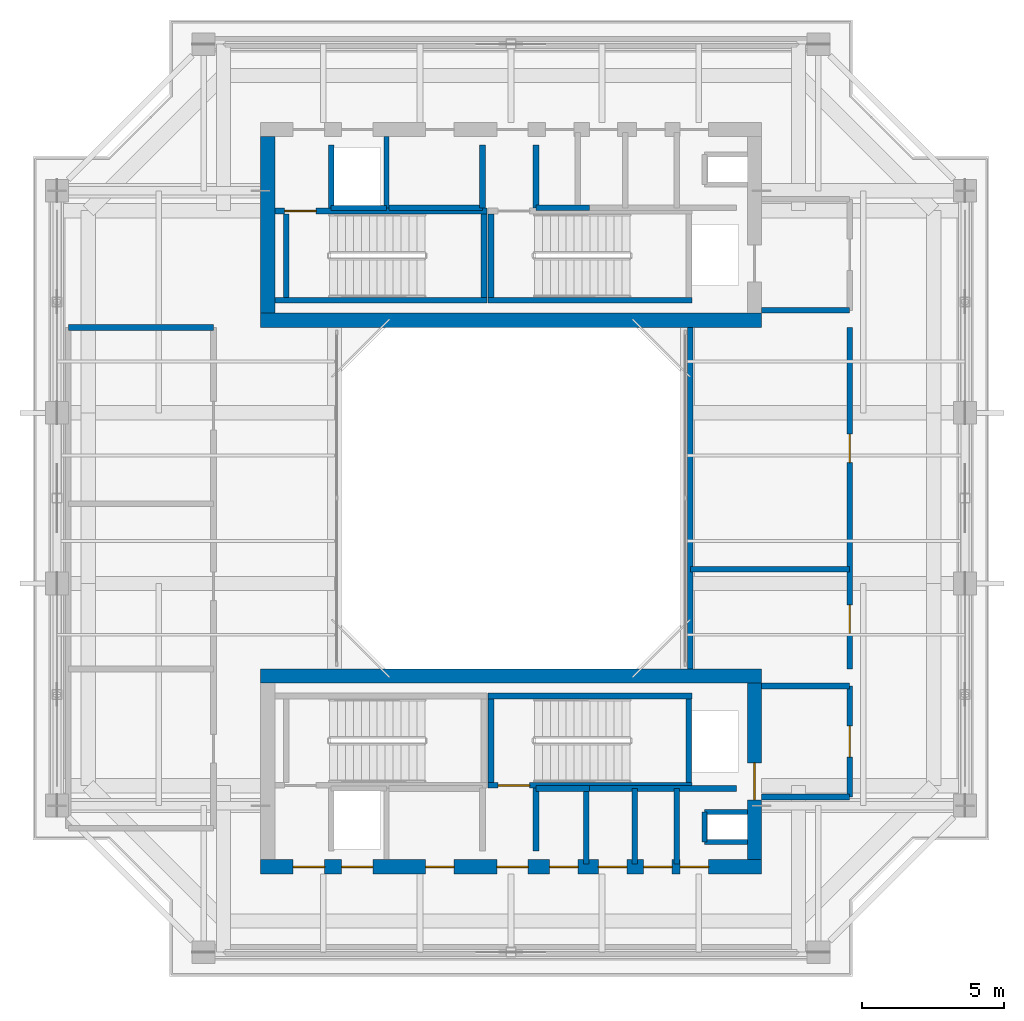
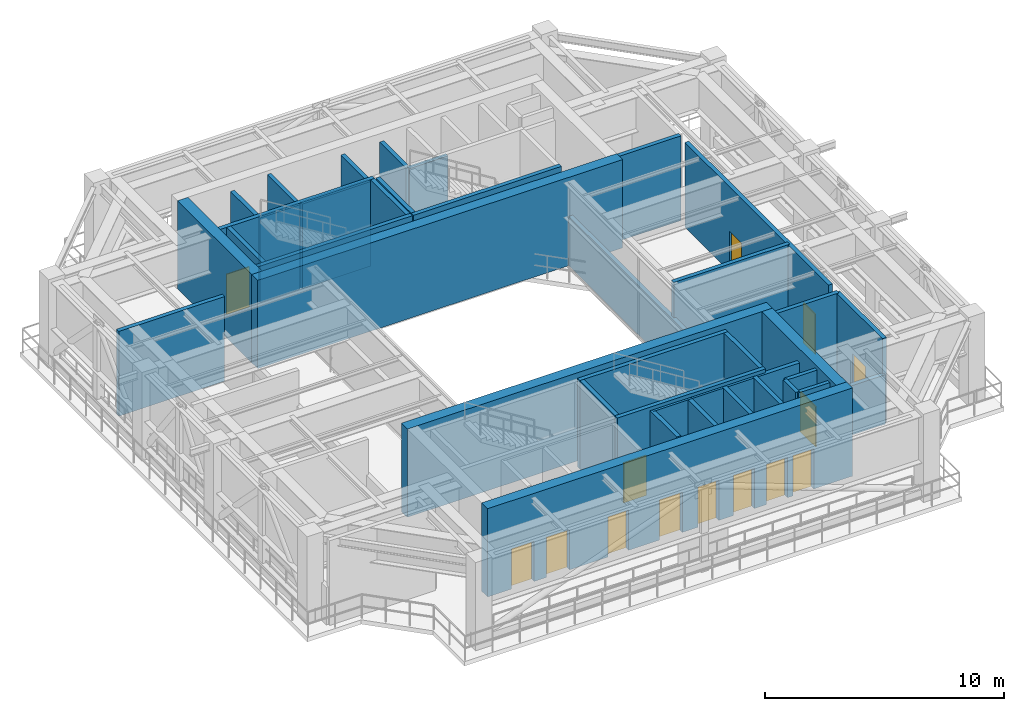
# One storey, part 6 of 10: 39 walls, 14 doors, 14 openings.
"""IFC4 building model written with IfcOpenShell, lengths in metres."""

from ifc_helpers import new_model, si_unit, direction, frame, frame_2d, origin, place, context, subcontext, project, spatial, rectangle, extrude, source, transform, mapped, material, layer, layer_set, type_object, element, fill, save


model = new_model("IFC4")

# Units and contexts
model_context = context("Model", 3, precision=1e-05, world=origin(), true_north=direction((0.0, 1.0)))
body_context = subcontext(model_context, "Body", "Model", "MODEL_VIEW")
ifc_project = project(units=[si_unit("LENGTHUNIT", "METRE"), si_unit("AREAUNIT", "SQUARE_METRE"), si_unit("VOLUMEUNIT", "CUBIC_METRE"), si_unit("PLANEANGLEUNIT", "RADIAN"), si_unit("MASSUNIT", "GRAM", prefix="KILO"), si_unit("THERMODYNAMICTEMPERATUREUNIT", "KELVIN"), si_unit("POWERUNIT", "WATT")], contexts=[model_context])

# Site, building, storey
site_placement = place(None, origin())
site = spatial("IfcSite", under=ifc_project, at=site_placement, CompositionType="ELEMENT")
building_placement = place(site_placement, origin())
building = spatial("IfcBuilding", under=site, at=building_placement, Name="Qiaomeng Ring Towers", CompositionType="ELEMENT")
storey_placement = place(building_placement, frame((0.0, 0.0, 232.75)))
storey = spatial("IfcBuildingStorey", under=building, at=storey_placement, Name="L68", CompositionType="ELEMENT", Elevation=232.75)

# Walls
ifc_material_1 = material(Name="Autoclaved aerated concrete block", Category="concrete")
ifc_layer_1 = layer(ifc_material_1, 0.199951171875, Name="Autoclaved aerated concrete block")
ifc_layer_set_1 = layer_set([ifc_layer_1], Name="Autoclaved aerated concrete block")
wall_type_1 = type_object("IfcWallType", Name="ARC-WL-PW1", PredefinedType="PARTITIONING", material=ifc_layer_set_1)
for number, where, z_axis, x_axis, name in (
    (1, (27.800048828125, 29.60009765625, 0.0), (0.0, 0.0, 1.0), (1.0, 0.0, 0.0), "L68 Interior Wall PW1"),
    (2, (27.800048828125, 16.39990234375, 0.0), (0.0, 0.0, 1.0), (1.0, 0.0, 0.0), "L68 Interior Wall PW1"),
):
    element("IfcWall", number, at=place(storey_placement, frame(where, z_axis=z_axis, x_axis=x_axis)), inside=storey, type_object=wall_type_1, Name=name, PredefinedType="PARTITIONING", context=body_context, shape_type="SweptSolid", body=[
        extrude(rectangle(XDim=3.099853515625, YDim=0.199951171875, at=frame_2d((1.5498046875, 0.0))), origin(), (0.0, 0.0, 1.0), 4.320068359375),
    ])
wall_1_placement = place(storey_placement, frame((27.800048828125, 12.5, 0.0), z_axis=(0.0, 0.0, 1.0), x_axis=(1.0, 0.0, 0.0)))
element("IfcWall", 3, at=wall_1_placement, inside=storey, type_object=wall_type_1, Name="L68 Interior Wall PW1", PredefinedType="PARTITIONING", context=body_context, shape_type="SweptSolid", body=[
    extrude(rectangle(XDim=3.099853515625, YDim=0.199951171875, at=frame_2d((1.5498046875, 0.0))), origin(), (0.0, 0.0, 1.0), 2.514892578125),
])

# Wall, opening, door
wall_2_placement = place(storey_placement, frame((30.89990234375, 12.5, 0.0), z_axis=(0.0, 0.0, 1.0), x_axis=(0.0, 1.0, 0.0)))
wall_2 = element("IfcWall", 4, at=wall_2_placement, inside=storey, type_object=wall_type_1, Name="L68 Interior Wall PW1", PredefinedType="PARTITIONING", context=body_context, shape_type="SweptSolid", body=[
    extrude(rectangle(XDim=3.89990234375, YDim=0.199951171875, at=frame_2d((1.949951171875, 0.0))), origin(), (0.0, 0.0, 1.0), 4.320068359375),
])
opening_1_placement = place(wall_2_placement, frame((1.39990234375, 0.0, 0.0)))
opening_1 = element("IfcOpeningElement", 5, at=opening_1_placement, cuts=wall_2, Name="Opening FD3", PredefinedType="OPENING", context=body_context, shape_type="SweptSolid", body=[
    extrude(rectangle(XDim=1.10009765625, YDim=2.050048828125, at=frame_2d((0.550048828125, 1.02490234375))), frame((0.0, 0.10986328125, 0.0), z_axis=(0.0, -1.0, 0.0), x_axis=(1.0, 0.0, 0.0)), (0.0, 0.0, 1.0), 0.219970703125),
])
ifc_material_2 = material(Name="Galvanised steel", Category="steel")
door_type_1 = type_object("IfcDoorType", Name="ARC-DR-FD3", OperationType="NOTDEFINED", PredefinedType="DOOR", material=ifc_material_2)
shared_shape_1 = source(origin(), body_context, "Body", "SweptSolid", [
    extrude(rectangle(XDim=1.10009765625, YDim=2.050048828125, at=frame_2d((0.550048828125, 1.02490234375))), frame((0.0, 0.02490234375, 0.0), z_axis=(0.0, -1.0, 0.0), x_axis=(1.0, 0.0, 0.0)), (0.0, 0.0, 1.0), 0.050048828125),
])
door_1_placement = place(opening_1_placement, origin())
door_1 = element("IfcDoor", 6, at=door_1_placement, inside=storey, type_object=door_type_1, Name="L68 South FF Lobby Door", OperationType="SINGLE_SWING_RIGHT", OverallHeight=2.050048828125, OverallWidth=1.10009765625, PredefinedType="DOOR", context=body_context, shape_type="MappedRepresentation", body=[
    mapped(shared_shape_1, transform((0.0, 0.0, 0.0), x_axis=(1.0, 0.0, 0.0), y_axis=(0.0, 1.0, 0.0), z_axis=(0.0, 0.0, 1.0), scale=1.0)),
])
fill(opening_1, door_1)

# Walls
for number, where, z_axis, x_axis, name in (
    (7, (12.679931640625, 33.18994140625, 0.0), (0.0, 0.0, 1.0), (0.0, 1.0, 0.0), "L68 Interior Wall PW1"),
    (8, (18.0, 33.18994140625, 0.0), (0.0, 0.0, 1.0), (0.0, 1.0, 0.0), "L68 Interior Wall PW1"),
    (9, (19.8798828125, 33.18994140625, 0.0), (0.0, 0.0, 1.0), (0.0, 1.0, 0.0), "L68 Interior Wall PW1"),
    (10, (19.8798828125, 10.60009765625, 0.0), (0.0, 0.0, 1.0), (0.0, 1.0, 0.0), "L68 Interior Wall PW1"),
):
    element("IfcWall", number, at=place(storey_placement, frame(where, z_axis=z_axis, x_axis=x_axis)), inside=storey, type_object=wall_type_1, Name=name, PredefinedType="PARTITIONING", context=body_context, shape_type="SweptSolid", body=[
        extrude(rectangle(XDim=2.2099609375, YDim=0.199951171875, at=frame_2d((1.10498046875, 0.0))), origin(), (0.0, 0.0, 1.0), 4.320068359375),
    ])
wall_3_placement = place(storey_placement, frame((14.719970703125, 33.199951171875, 0.0), z_axis=(0.0, 0.0, 1.0), x_axis=(1.0, 0.0, 0.0)))
element("IfcWall", 11, at=wall_3_placement, inside=storey, type_object=wall_type_1, Name="L68 Interior Wall PW1", PredefinedType="PARTITIONING", context=body_context, shape_type="SweptSolid", body=[
    extrude(rectangle(XDim=3.280029296875, YDim=0.199951171875, at=frame_2d((1.64013671875, 0.0))), origin(), (0.0, 0.0, 1.0), 4.320068359375),
])
wall_4_placement = place(storey_placement, frame((24.820068359375, 10.14990234375, 0.0), z_axis=(0.0, 0.0, 1.0), x_axis=(0.0, 1.0, 0.0)))
element("IfcWall", 12, at=wall_4_placement, inside=storey, type_object=wall_type_1, Name="L68 Interior Wall PW1", PredefinedType="PARTITIONING", context=body_context, shape_type="SweptSolid", body=[
    extrude(rectangle(XDim=2.650146484375, YDim=0.199951171875, at=frame_2d((1.3251953125, 0.0))), origin(), (0.0, 0.0, 1.0), 4.320068359375),
])
for number, where, z_axis, x_axis, name in (
    (13, (19.8798828125, 33.199951171875, 0.0), (0.0, 0.0, 1.0), (1.0, 0.0, 0.0), "L68 Interior Wall PW1"),
    (14, (19.8798828125, 12.800048828125, 0.0), (0.0, 0.0, 1.0), (1.0, 0.0, 0.0), "L68 Interior Wall PW1"),
):
    element("IfcWall", number, at=place(storey_placement, frame(where, z_axis=z_axis, x_axis=x_axis)), inside=storey, type_object=wall_type_1, Name=name, PredefinedType="PARTITIONING", context=body_context, shape_type="SweptSolid", body=[
        extrude(rectangle(XDim=1.8701171875, YDim=0.199951171875, at=frame_2d((0.93505859375, 0.0))), origin(), (0.0, 0.0, 1.0), 4.320068359375),
    ])
for number, where, z_axis, x_axis, name in (
    (15, (21.639892578125, 10.14990234375, 0.0), (0.0, 0.0, 1.0), (0.0, 1.0, 0.0), "L68 Interior Wall PW1"),
    (16, (23.35009765625, 10.14990234375, 0.0), (0.0, 0.0, 1.0), (0.0, 1.0, 0.0), "L68 Interior Wall PW1"),
):
    element("IfcWall", number, at=place(storey_placement, frame(where, z_axis=z_axis, x_axis=x_axis)), inside=storey, type_object=wall_type_1, Name=name, PredefinedType="PARTITIONING", context=body_context, shape_type="SweptSolid", body=[
        extrude(rectangle(XDim=2.650146484375, YDim=0.199951171875, at=frame_2d((1.3251953125, 0.0))), origin(), (0.0, 0.0, 1.0), 4.320068359375),
    ])
wall_5_placement = place(storey_placement, frame((21.75, 12.800048828125, 0.0), z_axis=(0.0, 0.0, 1.0), x_axis=(1.0, 0.0, 0.0)))
element("IfcWall", 17, at=wall_5_placement, inside=storey, type_object=wall_type_1, Name="L68 Interior Wall PW1", PredefinedType="PARTITIONING", context=body_context, shape_type="SweptSolid", body=[
    extrude(rectangle(XDim=5.169921875, YDim=0.199951171875, at=frame_2d((2.5849609375, 0.0))), origin(), (0.0, 0.0, 1.0), 4.320068359375),
])
wall_6_placement = place(storey_placement, frame((3.449951171875, 29.0, 0.0), z_axis=(0.0, 0.0, 1.0), x_axis=(1.0, 0.0, 0.0)))
element("IfcWall", 18, at=wall_6_placement, inside=storey, type_object=wall_type_1, Name="L68 Interior Wall PW1", PredefinedType="PARTITIONING", context=body_context, shape_type="SweptSolid", body=[
    extrude(rectangle(XDim=5.10009765625, YDim=0.199951171875, at=frame_2d((2.550048828125, 0.0))), origin(), (0.0, 0.0, 1.0), 4.320068359375),
])
wall_7_placement = place(storey_placement, frame((25.300048828125, 17.0, 0.0), z_axis=(0.0, 0.0, 1.0), x_axis=(0.0, 1.0, 0.0)))
element("IfcWall", 19, at=wall_7_placement, inside=storey, type_object=wall_type_1, Name="L68 Interior Wall PW1", PredefinedType="PARTITIONING", context=body_context, shape_type="SweptSolid", body=[
    extrude(rectangle(XDim=12.0, YDim=0.199951171875, at=frame_2d((6.0, 0.0))), origin(), (0.0, 0.0, 1.0), 2.514892578125),
])
wall_8_placement = place(storey_placement, frame((25.300048828125, 20.5, 0.0), z_axis=(0.0, 0.0, 1.0), x_axis=(1.0, 0.0, 0.0)))
element("IfcWall", 20, at=wall_8_placement, inside=storey, type_object=wall_type_1, Name="L68 Interior Wall PW1", PredefinedType="PARTITIONING", context=body_context, shape_type="SweptSolid", body=[
    extrude(rectangle(XDim=5.599853515625, YDim=0.199951171875, at=frame_2d((2.7998046875, 0.0))), origin(), (0.0, 0.0, 1.0), 4.320068359375),
])

# Wall, openings, doors
wall_9_placement = place(storey_placement, frame((30.89990234375, 17.0, 0.0), z_axis=(0.0, 0.0, 1.0), x_axis=(0.0, 1.0, 0.0)))
wall_9 = element("IfcWall", 21, at=wall_9_placement, inside=storey, type_object=wall_type_1, Name="L68 Interior Wall PW1", PredefinedType="PARTITIONING", context=body_context, shape_type="SweptSolid", body=[
    extrude(rectangle(XDim=12.0, YDim=0.199951171875, at=frame_2d((6.0, 0.0))), origin(), (0.0, 0.0, 1.0), 4.320068359375),
])
opening_2_placement = place(wall_9_placement, frame((1.25, 0.0, 0.0)))
opening_2 = element("IfcOpeningElement", 22, at=opening_2_placement, cuts=wall_9, Name="Opening FD1", PredefinedType="OPENING", context=body_context, shape_type="SweptSolid", body=[
    extrude(rectangle(XDim=1.0, YDim=2.050048828125, at=frame_2d((0.5, 1.02490234375))), frame((0.0, 0.10986328125, 0.0), z_axis=(0.0, -1.0, 0.0), x_axis=(1.0, 0.0, 0.0)), (0.0, 0.0, 1.0), 0.219970703125),
])
opening_3_placement = place(wall_9_placement, frame((7.25, 0.0, 0.0)))
opening_3 = element("IfcOpeningElement", 23, at=opening_3_placement, cuts=wall_9, Name="Opening FD1", PredefinedType="OPENING", context=body_context, shape_type="SweptSolid", body=[
    extrude(rectangle(XDim=1.0, YDim=2.050048828125, at=frame_2d((0.5, 1.02490234375))), frame((0.0, 0.10986328125, 0.0), z_axis=(0.0, -1.0, 0.0), x_axis=(1.0, 0.0, 0.0)), (0.0, 0.0, 1.0), 0.219970703125),
])
door_type_2 = type_object("IfcDoorType", Name="ARC-DR-FD1", OperationType="NOTDEFINED", PredefinedType="DOOR", material=ifc_material_2)
shared_shape_2 = source(origin(), body_context, "Body", "SweptSolid", [
    extrude(rectangle(XDim=1.0, YDim=2.050048828125, at=frame_2d((0.5, 1.02490234375))), frame((0.0, 0.02490234375, 0.0), z_axis=(0.0, -1.0, 0.0), x_axis=(1.0, 0.0, 0.0)), (0.0, 0.0, 1.0), 0.050048828125),
])
door_2_placement = place(opening_2_placement, origin())
door_2 = element("IfcDoor", 24, at=door_2_placement, inside=storey, type_object=door_type_2, Name="L68 Door FD1", OperationType="SINGLE_SWING_RIGHT", OverallHeight=2.050048828125, OverallWidth=1.0, PredefinedType="DOOR", context=body_context, shape_type="MappedRepresentation", body=[
    mapped(shared_shape_2, transform((0.0, 0.0, 0.0), x_axis=(1.0, 0.0, 0.0), y_axis=(0.0, 1.0, 0.0), z_axis=(0.0, 0.0, 1.0), scale=1.0)),
])
fill(opening_2, door_2)
door_3_placement = place(opening_3_placement, origin())
door_3 = element("IfcDoor", 25, at=door_3_placement, inside=storey, type_object=door_type_2, Name="L68 Door FD1", OperationType="SINGLE_SWING_LEFT", OverallHeight=2.050048828125, OverallWidth=1.0, PredefinedType="DOOR", context=body_context, shape_type="MappedRepresentation", body=[
    mapped(shared_shape_2, transform((0.0, 0.0, 0.0), x_axis=(1.0, 0.0, 0.0), y_axis=(0.0, 1.0, 0.0), z_axis=(0.0, 0.0, 1.0), scale=1.0)),
])
fill(opening_3, door_3)

# Walls
ifc_material_3 = material(Name="Concrete C40", Category="concrete")
ifc_layer_2 = layer(ifc_material_3, 0.199951171875, Name="Concrete C40")
ifc_layer_set_2 = layer_set([ifc_layer_2], Name="Concrete C40")
wall_type_2 = type_object("IfcWallType", Name="STR-WL-STSHAFT", PredefinedType="SHEAR", material=ifc_layer_set_2)
wall_10_placement = place(storey_placement, frame((12.679931640625, 33.199951171875, 0.0), z_axis=(0.0, 0.0, 1.0), x_axis=(1.0, 0.0, 0.0)))
element("IfcWall", 26, at=wall_10_placement, inside=storey, type_object=wall_type_2, Name="L68 Lift LP5 Shaft Back Wall", PredefinedType="SHEAR", context=body_context, shape_type="SweptSolid", body=[
    extrude(rectangle(XDim=1.940185546875, YDim=0.179931640625, at=frame_2d((0.97021484375, 0.0))), origin(), (0.0, 0.0, 1.0), 4.320068359375),
])
wall_11_placement = place(storey_placement, frame((14.6201171875, 33.199951171875, 0.0), z_axis=(0.0, 0.0, 1.0), x_axis=(0.0, 1.0, 0.0)))
element("IfcWall", 27, at=wall_11_placement, inside=storey, type_object=wall_type_2, Name="L68 Lift LP5-LP3 Shaft Divider Wall", PredefinedType="SHEAR", context=body_context, shape_type="SweptSolid", body=[
    extrude(rectangle(XDim=2.5, YDim=0.179931640625, at=frame_2d((1.25, 0.0))), origin(), (0.0, 0.0, 1.0), 4.320068359375),
])
wall_12_placement = place(storey_placement, frame((25.800048828125, 10.919921875, 0.0), z_axis=(0.0, 0.0, 1.0), x_axis=(0.0, 1.0, 0.0)))
element("IfcWall", 28, at=wall_12_placement, inside=storey, type_object=wall_type_2, Name="L68 Riser RSR1 West Shaft Wall S", PredefinedType="SHEAR", context=body_context, shape_type="SweptSolid", body=[
    extrude(rectangle(XDim=1.06005859375, YDim=0.179931640625, at=frame_2d((0.530029296875, 0.0))), origin(), (0.0, 0.0, 1.0), 4.320068359375),
])
for number, where, z_axis, x_axis, name in (
    (29, (25.800048828125, 11.97998046875, 0.0), (0.0, 0.0, 1.0), (1.0, 0.0, 0.0), "L68 Riser RSR1 North Shaft Wall S"),
    (30, (25.800048828125, 10.919921875, 0.0), (0.0, 0.0, 1.0), (1.0, 0.0, 0.0), "L68 Riser RSR1 South Shaft Wall S"),
):
    element("IfcWall", number, at=place(storey_placement, frame(where, z_axis=z_axis, x_axis=x_axis)), inside=storey, type_object=wall_type_2, Name=name, PredefinedType="SHEAR", context=body_context, shape_type="SweptSolid", body=[
        extrude(rectangle(XDim=1.5, YDim=0.179931640625, at=frame_2d((0.75, 0.0))), origin(), (0.0, 0.0, 1.0), 4.320068359375),
    ])
wall_13_placement = place(storey_placement, frame((10.699951171875, 29.949951171875, 0.0), z_axis=(0.0, 0.0, 1.0), x_axis=(1.0, 0.0, 0.0)))
element("IfcWall", 31, at=wall_13_placement, inside=storey, type_object=wall_type_2, Name="L68 Stair ST1 South Shaft Shear Wall", PredefinedType="SHEAR", context=body_context, shape_type="SweptSolid", body=[
    extrude(rectangle(XDim=7.449951171875, YDim=0.199951171875, at=frame_2d((3.72509765625, 0.0))), origin(), (0.0, 0.0, 1.0), 4.5),
])

# Wall, opening, door
wall_14_placement = place(storey_placement, frame((10.699951171875, 33.090087890625, 0.0), z_axis=(0.0, 0.0, 1.0), x_axis=(1.0, 0.0, 0.0)))
wall_14 = element("IfcWall", 32, at=wall_14_placement, inside=storey, type_object=wall_type_2, Name="L68 Stair ST1 North Shaft Shear Wall", PredefinedType="SHEAR", context=body_context, shape_type="SweptSolid", body=[
    extrude(rectangle(XDim=7.449951171875, YDim=0.199951171875, at=frame_2d((3.72509765625, 0.0))), origin(), (0.0, 0.0, 1.0), 4.5),
])
opening_4_placement = place(wall_14_placement, frame((0.35009765625, 0.0, 0.0)))
opening_4 = element("IfcOpeningElement", 33, at=opening_4_placement, cuts=wall_14, Name="Opening FD3", PredefinedType="OPENING", context=body_context, shape_type="SweptSolid", body=[
    extrude(rectangle(XDim=1.10009765625, YDim=2.050048828125, at=frame_2d((0.550048828125, 1.02490234375))), frame((0.0, 0.10986328125, 0.0), z_axis=(0.0, -1.0, 0.0), x_axis=(1.0, 0.0, 0.0)), (0.0, 0.0, 1.0), 0.219970703125),
])
door_4_placement = place(opening_4_placement, origin())
door_4 = element("IfcDoor", 34, at=door_4_placement, inside=storey, type_object=door_type_1, Name="L68 Stair ST1 Exit Door", OperationType="SINGLE_SWING_RIGHT", OverallHeight=2.050048828125, OverallWidth=1.10009765625, PredefinedType="DOOR", context=body_context, shape_type="MappedRepresentation", body=[
    mapped(shared_shape_1, transform((0.0, 0.0, 0.0), x_axis=(1.0, 0.0, 0.0), y_axis=(0.0, 1.0, 0.0), z_axis=(0.0, 0.0, 1.0), scale=1.0)),
])
fill(opening_4, door_4)

# Walls
for number, where, z_axis, x_axis, name in (
    (35, (11.10009765625, 30.050048828125, 0.0), (0.0, 0.0, 1.0), (0.0, 1.0, 0.0), "L68 Stair ST1 West Shaft Shear Wall"),
    (36, (18.050048828125, 30.050048828125, 0.0), (0.0, 0.0, 1.0), (0.0, 1.0, 0.0), "L68 Stair ST1 East Shaft Shear Wall"),
):
    element("IfcWall", number, at=place(storey_placement, frame(where, z_axis=z_axis, x_axis=x_axis)), inside=storey, type_object=wall_type_2, Name=name, PredefinedType="SHEAR", context=body_context, shape_type="SweptSolid", body=[
        extrude(rectangle(XDim=2.93994140625, YDim=0.199951171875, at=frame_2d((1.469970703125, 0.0))), origin(), (0.0, 0.0, 1.0), 4.5),
    ])
wall_15_placement = place(storey_placement, frame((18.199951171875, 29.949951171875, 0.0), z_axis=(0.0, 0.0, 1.0), x_axis=(1.0, 0.0, 0.0)))
element("IfcWall", 37, at=wall_15_placement, inside=storey, type_object=wall_type_2, Name="L68 Stair ST2 South Shaft Shear Wall", PredefinedType="SHEAR", context=body_context, shape_type="SweptSolid", body=[
    extrude(rectangle(XDim=7.150146484375, YDim=0.199951171875, at=frame_2d((3.5751953125, 0.0))), origin(), (0.0, 0.0, 1.0), 4.5),
])
wall_16_placement = place(storey_placement, frame((18.300048828125, 30.050048828125, 0.0), z_axis=(0.0, 0.0, 1.0), x_axis=(0.0, 1.0, 0.0)))
element("IfcWall", 38, at=wall_16_placement, inside=storey, type_object=wall_type_2, Name="L68 Stair ST2 West Shaft Shear Wall", PredefinedType="SHEAR", context=body_context, shape_type="SweptSolid", body=[
    extrude(rectangle(XDim=2.93994140625, YDim=0.199951171875, at=frame_2d((1.469970703125, 0.0))), origin(), (0.0, 0.0, 1.0), 4.5),
])

# Wall, opening, door
wall_17_placement = place(storey_placement, frame((18.199951171875, 12.909912109375, 0.0), z_axis=(0.0, 0.0, 1.0), x_axis=(1.0, 0.0, 0.0)))
wall_17 = element("IfcWall", 39, at=wall_17_placement, inside=storey, type_object=wall_type_2, Name="L68 Stair ST4 South Shaft Shear Wall", PredefinedType="SHEAR", context=body_context, shape_type="SweptSolid", body=[
    extrude(rectangle(XDim=7.150146484375, YDim=0.199951171875, at=frame_2d((3.5751953125, 0.0))), origin(), (0.0, 0.0, 1.0), 4.5),
])
opening_5_placement = place(wall_17_placement, frame((0.35009765625, 0.0, 0.0)))
opening_5 = element("IfcOpeningElement", 40, at=opening_5_placement, cuts=wall_17, Name="Opening FD3", PredefinedType="OPENING", context=body_context, shape_type="SweptSolid", body=[
    extrude(rectangle(XDim=1.10009765625, YDim=2.050048828125, at=frame_2d((0.550048828125, 1.02490234375))), frame((0.0, 0.10986328125, 0.0), z_axis=(0.0, -1.0, 0.0), x_axis=(1.0, 0.0, 0.0)), (0.0, 0.0, 1.0), 0.219970703125),
])
door_5_placement = place(opening_5_placement, frame((1.10009765625, 0.0, 0.0), z_axis=(0.0, 0.0, 1.0), x_axis=(-1.0, 0.0, 0.0)))
door_5 = element("IfcDoor", 41, at=door_5_placement, inside=storey, type_object=door_type_1, Name="L68 Stair ST4 Exit Door", OperationType="SINGLE_SWING_RIGHT", OverallHeight=2.050048828125, OverallWidth=1.10009765625, PredefinedType="DOOR", context=body_context, shape_type="MappedRepresentation", body=[
    mapped(shared_shape_1, transform((0.0, 0.0, 0.0), x_axis=(1.0, 0.0, 0.0), y_axis=(0.0, 1.0, 0.0), z_axis=(0.0, 0.0, 1.0), scale=1.0)),
])
fill(opening_5, door_5)

# Walls
wall_18_placement = place(storey_placement, frame((18.199951171875, 16.050048828125, 0.0), z_axis=(0.0, 0.0, 1.0), x_axis=(1.0, 0.0, 0.0)))
element("IfcWall", 42, at=wall_18_placement, inside=storey, type_object=wall_type_2, Name="L68 Stair ST4 North Shaft Shear Wall", PredefinedType="SHEAR", context=body_context, shape_type="SweptSolid", body=[
    extrude(rectangle(XDim=7.150146484375, YDim=0.199951171875, at=frame_2d((3.5751953125, 0.0))), origin(), (0.0, 0.0, 1.0), 4.5),
])
for number, where, z_axis, x_axis, name in (
    (43, (18.300048828125, 13.010009765625, 0.0), (0.0, 0.0, 1.0), (0.0, 1.0, 0.0), "L68 Stair ST4 West Shaft Shear Wall"),
    (44, (25.25, 13.010009765625, 0.0), (0.0, 0.0, 1.0), (0.0, 1.0, 0.0), "L68 Stair ST4 East Shaft Shear Wall"),
):
    element("IfcWall", number, at=place(storey_placement, frame(where, z_axis=z_axis, x_axis=x_axis)), inside=storey, type_object=wall_type_2, Name=name, PredefinedType="SHEAR", context=body_context, shape_type="SweptSolid", body=[
        extrude(rectangle(XDim=2.93994140625, YDim=0.199951171875, at=frame_2d((1.469970703125, 0.0))), origin(), (0.0, 0.0, 1.0), 4.5),
    ])
ifc_layer_3 = layer(ifc_material_3, 0.5, Name="Concrete C40")
ifc_layer_set_3 = layer_set([ifc_layer_3], Name="Concrete C40")
wall_type_3 = type_object("IfcWallType", Name="STR-WL-SW3", PredefinedType="SHEAR", material=ifc_layer_set_3)
wall_19_placement = place(storey_placement, frame((10.199951171875, 29.25, 0.0), z_axis=(0.0, 0.0, 1.0), x_axis=(1.0, 0.0, 0.0)))
element("IfcWall", 45, at=wall_19_placement, inside=storey, type_object=wall_type_3, Name="L68 T1NC south core shear wall", PredefinedType="SHEAR", context=body_context, shape_type="SweptSolid", body=[
    extrude(rectangle(XDim=17.60009765625, YDim=0.5, at=frame_2d((8.800048828125, 0.0))), origin(), (0.0, 0.0, 1.0), 4.5),
])
wall_20_placement = place(storey_placement, frame((10.449951171875, 29.5, 0.0), z_axis=(0.0, 0.0, 1.0), x_axis=(0.0, 1.0, 0.0)))
element("IfcWall", 46, at=wall_20_placement, inside=storey, type_object=wall_type_3, Name="L68 T1NC west core shear wall", PredefinedType="SHEAR", context=body_context, shape_type="SweptSolid", body=[
    extrude(rectangle(XDim=6.199951171875, YDim=0.5, at=frame_2d((3.10009765625, 0.0))), origin(), (0.0, 0.0, 1.0), 4.5),
])

# Wall, openings, doors
wall_21_placement = place(storey_placement, frame((10.199951171875, 10.050048828125, 0.0), z_axis=(0.0, 0.0, 1.0), x_axis=(1.0, 0.0, 0.0)))
wall_21 = element("IfcWall", 47, at=wall_21_placement, inside=storey, type_object=wall_type_3, Name="L68 T1SC south core shear wall", PredefinedType="SHEAR", context=body_context, shape_type="SweptSolid", body=[
    extrude(rectangle(XDim=17.60009765625, YDim=0.5, at=frame_2d((8.800048828125, 0.0))), origin(), (0.0, 0.0, 1.0), 4.5),
])
opening_6_placement = place(wall_21_placement, frame((1.14990234375, 0.0, 0.0)))
opening_6 = element("IfcOpeningElement", 48, at=opening_6_placement, cuts=wall_21, Name="Opening FD3", PredefinedType="OPENING", context=body_context, shape_type="SweptSolid", body=[
    extrude(rectangle(XDim=1.10009765625, YDim=2.050048828125, at=frame_2d((0.550048828125, 1.02490234375))), frame((0.0, 0.260009765625, 0.0), z_axis=(0.0, -1.0, 0.0), x_axis=(1.0, 0.0, 0.0)), (0.0, 0.0, 1.0), 0.52001953125),
])
opening_7_placement = place(wall_21_placement, frame((8.300048828125, 0.0, 0.0)))
opening_7 = element("IfcOpeningElement", 49, at=opening_7_placement, cuts=wall_21, Name="Opening FD3", PredefinedType="OPENING", context=body_context, shape_type="SweptSolid", body=[
    extrude(rectangle(XDim=1.10009765625, YDim=2.050048828125, at=frame_2d((0.550048828125, 1.02490234375))), frame((0.0, 0.260009765625, 0.0), z_axis=(0.0, -1.0, 0.0), x_axis=(1.0, 0.0, 0.0)), (0.0, 0.0, 1.0), 0.52001953125),
])
opening_8_placement = place(wall_21_placement, frame((2.85009765625, 0.0, 0.0)))
opening_8 = element("IfcOpeningElement", 50, at=opening_8_placement, cuts=wall_21, Name="Opening LD1", PredefinedType="OPENING", context=body_context, shape_type="SweptSolid", body=[
    extrude(rectangle(XDim=1.10009765625, YDim=2.050048828125, at=frame_2d((0.550048828125, 1.02490234375))), frame((0.0, 0.260009765625, 0.0), z_axis=(0.0, -1.0, 0.0), x_axis=(1.0, 0.0, 0.0)), (0.0, 0.0, 1.0), 0.52001953125),
])
opening_9_placement = place(wall_21_placement, frame((5.800048828125, 0.0, 0.0)))
opening_9 = element("IfcOpeningElement", 51, at=opening_9_placement, cuts=wall_21, Name="Opening FD1", PredefinedType="OPENING", context=body_context, shape_type="SweptSolid", body=[
    extrude(rectangle(XDim=1.0, YDim=2.050048828125, at=frame_2d((0.5, 1.02490234375))), frame((0.0, 0.260009765625, 0.0), z_axis=(0.0, -1.0, 0.0), x_axis=(1.0, 0.0, 0.0)), (0.0, 0.0, 1.0), 0.52001953125),
])
opening_10_placement = place(wall_21_placement, frame((14.739990234375, 0.0, 0.0)))
opening_10 = element("IfcOpeningElement", 52, at=opening_10_placement, cuts=wall_21, Name="Opening FD1", PredefinedType="OPENING", context=body_context, shape_type="SweptSolid", body=[
    extrude(rectangle(XDim=1.0, YDim=2.050048828125, at=frame_2d((0.5, 1.02490234375))), frame((0.0, 0.260009765625, 0.0), z_axis=(0.0, -1.0, 0.0), x_axis=(1.0, 0.0, 0.0)), (0.0, 0.0, 1.0), 0.52001953125),
])
opening_11_placement = place(wall_21_placement, frame((10.155029296875, 0.0, 0.0)))
opening_11 = element("IfcOpeningElement", 53, at=opening_11_placement, cuts=wall_21, Name="Opening FD1", PredefinedType="OPENING", context=body_context, shape_type="SweptSolid", body=[
    extrude(rectangle(XDim=1.0, YDim=2.050048828125, at=frame_2d((0.5, 1.02490234375))), frame((0.0, 0.260009765625, 0.0), z_axis=(0.0, -1.0, 0.0), x_axis=(1.0, 0.0, 0.0)), (0.0, 0.0, 1.0), 0.52001953125),
])
opening_12_placement = place(wall_21_placement, frame((11.8701171875, 0.0, 0.0)))
opening_12 = element("IfcOpeningElement", 54, at=opening_12_placement, cuts=wall_21, Name="Opening FD1", PredefinedType="OPENING", context=body_context, shape_type="SweptSolid", body=[
    extrude(rectangle(XDim=1.0, YDim=2.050048828125, at=frame_2d((0.5, 1.02490234375))), frame((0.0, 0.260009765625, 0.0), z_axis=(0.0, -1.0, 0.0), x_axis=(1.0, 0.0, 0.0)), (0.0, 0.0, 1.0), 0.52001953125),
])
opening_13_placement = place(wall_21_placement, frame((13.4599609375, 0.0, 0.0)))
opening_13 = element("IfcOpeningElement", 55, at=opening_13_placement, cuts=wall_21, Name="Opening FD1", PredefinedType="OPENING", context=body_context, shape_type="SweptSolid", body=[
    extrude(rectangle(XDim=1.0, YDim=2.050048828125, at=frame_2d((0.5, 1.02490234375))), frame((0.0, 0.260009765625, 0.0), z_axis=(0.0, -1.0, 0.0), x_axis=(1.0, 0.0, 0.0)), (0.0, 0.0, 1.0), 0.52001953125),
])
door_6_placement = place(opening_6_placement, origin())
door_6 = element("IfcDoor", 56, at=door_6_placement, inside=storey, type_object=door_type_1, Name="L68 Stair ST3 Lobby Door", OperationType="SINGLE_SWING_LEFT", OverallHeight=2.050048828125, OverallWidth=1.10009765625, PredefinedType="DOOR", context=body_context, shape_type="MappedRepresentation", body=[
    mapped(shared_shape_1, transform((0.0, 0.0, 0.0), x_axis=(1.0, 0.0, 0.0), y_axis=(0.0, 1.0, 0.0), z_axis=(0.0, 0.0, 1.0), scale=1.0)),
])
fill(opening_6, door_6)
door_7_placement = place(opening_7_placement, origin())
door_7 = element("IfcDoor", 57, at=door_7_placement, inside=storey, type_object=door_type_1, Name="L68 Stair ST4 Lobby Door", OperationType="SINGLE_SWING_LEFT", OverallHeight=2.050048828125, OverallWidth=1.10009765625, PredefinedType="DOOR", context=body_context, shape_type="MappedRepresentation", body=[
    mapped(shared_shape_1, transform((0.0, 0.0, 0.0), x_axis=(1.0, 0.0, 0.0), y_axis=(0.0, 1.0, 0.0), z_axis=(0.0, 0.0, 1.0), scale=1.0)),
])
fill(opening_7, door_7)
ifc_material_4 = material(Name="Stainless steel 316", Category="steel")
door_type_3 = type_object("IfcDoorType", Name="ARC-DR-LD1", OperationType="NOTDEFINED", PredefinedType="DOOR", material=ifc_material_4)
door_8_placement = place(opening_8_placement, origin())
door_8 = element("IfcDoor", 58, at=door_8_placement, inside=storey, type_object=door_type_3, Name="L68 High-Zone Lift LP6 Landing Door", OperationType="SLIDING_TO_RIGHT", OverallHeight=2.050048828125, OverallWidth=1.10009765625, PredefinedType="DOOR", context=body_context, shape_type="MappedRepresentation", body=[
    mapped(shared_shape_1, transform((0.0, 0.0, 0.0), x_axis=(1.0, 0.0, 0.0), y_axis=(0.0, 1.0, 0.0), z_axis=(0.0, 0.0, 1.0), scale=1.0)),
])
fill(opening_8, door_8)
door_9_placement = place(opening_9_placement, origin())
door_9 = element("IfcDoor", 59, at=door_9_placement, inside=storey, type_object=door_type_2, Name="L68 High-Zone Freed Core Room Door", OperationType="SINGLE_SWING_RIGHT", OverallHeight=2.050048828125, OverallWidth=1.0, PredefinedType="DOOR", context=body_context, shape_type="MappedRepresentation", body=[
    mapped(shared_shape_2, transform((0.0, 0.0, 0.0), x_axis=(1.0, 0.0, 0.0), y_axis=(0.0, 1.0, 0.0), z_axis=(0.0, 0.0, 1.0), scale=1.0)),
])
fill(opening_9, door_9)
door_10_placement = place(opening_10_placement, origin())
door_10 = element("IfcDoor", 60, at=door_10_placement, inside=storey, type_object=door_type_2, Name="L68 South Electrical Riser Door", OperationType="SINGLE_SWING_RIGHT", OverallHeight=2.050048828125, OverallWidth=1.0, PredefinedType="DOOR", context=body_context, shape_type="MappedRepresentation", body=[
    mapped(shared_shape_2, transform((0.0, 0.0, 0.0), x_axis=(1.0, 0.0, 0.0), y_axis=(0.0, 1.0, 0.0), z_axis=(0.0, 0.0, 1.0), scale=1.0)),
])
fill(opening_10, door_10)
door_11_placement = place(opening_11_placement, origin())
door_11 = element("IfcDoor", 61, at=door_11_placement, inside=storey, type_object=door_type_2, Name="L68 South Break Lounge Door", OperationType="SINGLE_SWING_RIGHT", OverallHeight=2.050048828125, OverallWidth=1.0, PredefinedType="DOOR", context=body_context, shape_type="MappedRepresentation", body=[
    mapped(shared_shape_2, transform((0.0, 0.0, 0.0), x_axis=(1.0, 0.0, 0.0), y_axis=(0.0, 1.0, 0.0), z_axis=(0.0, 0.0, 1.0), scale=1.0)),
])
fill(opening_11, door_11)
door_12_placement = place(opening_12_placement, origin())
door_12 = element("IfcDoor", 62, at=door_12_placement, inside=storey, type_object=door_type_2, Name="L68 South Consultation Study Door", OperationType="SINGLE_SWING_LEFT", OverallHeight=2.050048828125, OverallWidth=1.0, PredefinedType="DOOR", context=body_context, shape_type="MappedRepresentation", body=[
    mapped(shared_shape_2, transform((0.0, 0.0, 0.0), x_axis=(1.0, 0.0, 0.0), y_axis=(0.0, 1.0, 0.0), z_axis=(0.0, 0.0, 1.0), scale=1.0)),
])
fill(opening_12, door_12)
door_13_placement = place(opening_13_placement, origin())
door_13 = element("IfcDoor", 63, at=door_13_placement, inside=storey, type_object=door_type_2, Name="L68 South Tea Pantry Door", OperationType="SINGLE_SWING_RIGHT", OverallHeight=2.050048828125, OverallWidth=1.0, PredefinedType="DOOR", context=body_context, shape_type="MappedRepresentation", body=[
    mapped(shared_shape_2, transform((0.0, 0.0, 0.0), x_axis=(1.0, 0.0, 0.0), y_axis=(0.0, 1.0, 0.0), z_axis=(0.0, 0.0, 1.0), scale=1.0)),
])
fill(opening_13, door_13)

# Wall
wall_22_placement = place(storey_placement, frame((10.199951171875, 16.75, 0.0), z_axis=(0.0, 0.0, 1.0), x_axis=(1.0, 0.0, 0.0)))
element("IfcWall", 64, at=wall_22_placement, inside=storey, type_object=wall_type_3, Name="L68 T1SC north core shear wall", PredefinedType="SHEAR", context=body_context, shape_type="SweptSolid", body=[
    extrude(rectangle(XDim=17.60009765625, YDim=0.5, at=frame_2d((8.800048828125, 0.0))), origin(), (0.0, 0.0, 1.0), 4.5),
])

# Wall, opening, door
wall_23_placement = place(storey_placement, frame((27.550048828125, 10.300048828125, 0.0), z_axis=(0.0, 0.0, 1.0), x_axis=(0.0, 1.0, 0.0)))
wall_23 = element("IfcWall", 65, at=wall_23_placement, inside=storey, type_object=wall_type_3, Name="L68 T1SC east core shear wall", PredefinedType="SHEAR", context=body_context, shape_type="SweptSolid", body=[
    extrude(rectangle(XDim=6.199951171875, YDim=0.5, at=frame_2d((3.10009765625, 0.0))), origin(), (0.0, 0.0, 1.0), 4.5),
])
opening_14_placement = place(wall_23_placement, frame((2.10009765625, 0.0, 0.0)))
opening_14 = element("IfcOpeningElement", 66, at=opening_14_placement, cuts=wall_23, Name="Opening LD2", PredefinedType="OPENING", context=body_context, shape_type="SweptSolid", body=[
    extrude(rectangle(XDim=1.300048828125, YDim=2.050048828125, at=frame_2d((0.64990234375, 1.02490234375))), frame((0.0, 0.260009765625, 0.0), z_axis=(0.0, -1.0, 0.0), x_axis=(1.0, 0.0, 0.0)), (0.0, 0.0, 1.0), 0.52001953125),
])
door_type_4 = type_object("IfcDoorType", Name="ARC-DR-LD2", OperationType="NOTDEFINED", PredefinedType="DOOR", material=ifc_material_4)
shared_shape_3 = source(origin(), body_context, "Body", "SweptSolid", [
    extrude(rectangle(XDim=1.300048828125, YDim=2.050048828125, at=frame_2d((0.64990234375, 1.02490234375))), frame((0.0, 0.02490234375, 0.0), z_axis=(0.0, -1.0, 0.0), x_axis=(1.0, 0.0, 0.0)), (0.0, 0.0, 1.0), 0.050048828125),
])
door_14_placement = place(opening_14_placement, origin())
door_14 = element("IfcDoor", 67, at=door_14_placement, inside=storey, type_object=door_type_4, Name="L68 Firefighting Lift FL2 Landing Door", OperationType="SLIDING_TO_RIGHT", OverallHeight=2.050048828125, OverallWidth=1.300048828125, PredefinedType="DOOR", context=body_context, shape_type="MappedRepresentation", body=[
    mapped(shared_shape_3, transform((0.0, 0.0, 0.0), x_axis=(1.0, 0.0, 0.0), y_axis=(0.0, 1.0, 0.0), z_axis=(0.0, 0.0, 1.0), scale=1.0)),
])
fill(opening_14, door_14)

save(model, "model.ifc")
